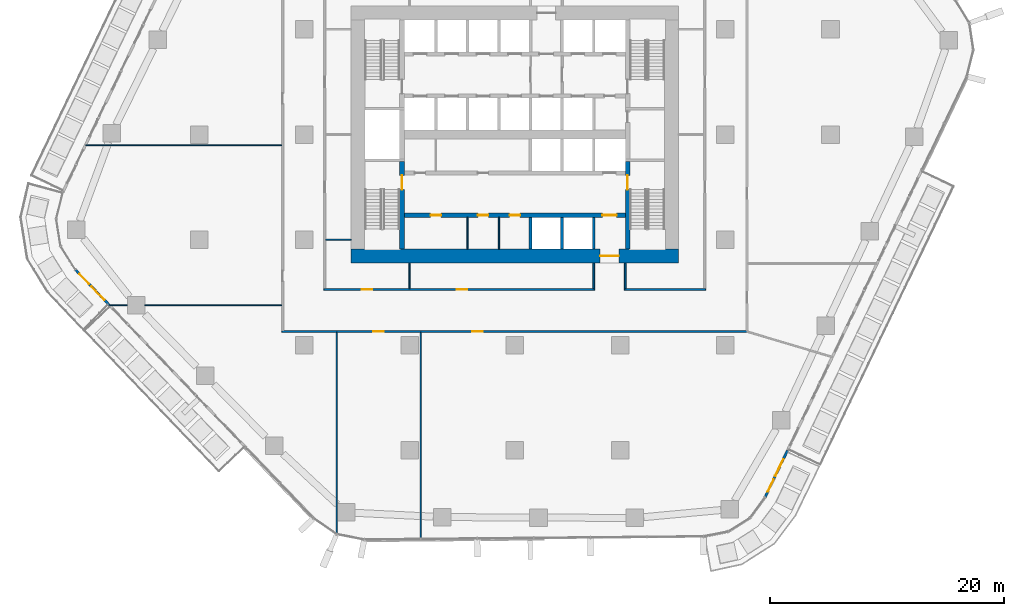
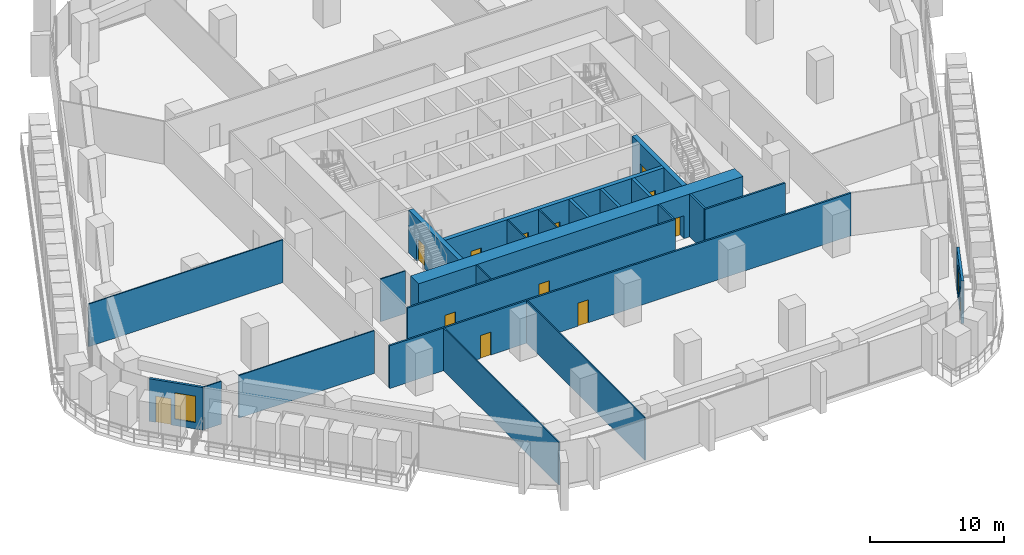
# One storey, part 12 of 23: 23 walls, 13 doors, 2 windows, 15 openings.
"""IFC4 building model written with IfcOpenShell, lengths in metres."""

from ifc_helpers import new_model, si_unit, direction, frame, frame_2d, origin, place, context, subcontext, project, spatial, rectangle, extrude, material, layer, layer_set, type_object, element, fill, save


model = new_model("IFC4")

# Units and contexts
model_context = context("Model", 3, precision=1e-05, world=origin(), true_north=direction((0.0, 1.0)))
body_context = subcontext(model_context, "Body", "Model", "MODEL_VIEW")
ifc_project = project(units=[si_unit("LENGTHUNIT", "METRE"), si_unit("AREAUNIT", "SQUARE_METRE"), si_unit("VOLUMEUNIT", "CUBIC_METRE"), si_unit("PLANEANGLEUNIT", "RADIAN"), si_unit("MASSUNIT", "GRAM", prefix="KILO")], contexts=[model_context])

# Site, building, storey
site_placement = place(None, origin())
site = spatial("IfcSite", under=ifc_project, at=site_placement, CompositionType="ELEMENT")
building_placement = place(site_placement, origin())
building = spatial("IfcBuilding", under=site, at=building_placement, Name="Dongbaek Canopy Tower", CompositionType="ELEMENT")
storey_placement = place(building_placement, frame((0.0, 0.0, 84.699951171875)))
storey = spatial("IfcBuildingStorey", under=building, at=storey_placement, Name="L17", CompositionType="ELEMENT", Elevation=84.699951171875)

# Wall, openings, doors
ifc_material_1 = material(Name="Concrete C60/75", Category="concrete")
ifc_layer_1 = layer(ifc_material_1, 0.35009765625)
ifc_layer_set_1 = layer_set([ifc_layer_1], Name="Core lobby wall 350 Concrete C60/75")
wall_type_1 = type_object("IfcWallType", Name="Core lobby wall 350 Concrete C60/75", PredefinedType="SHEAR", material=ifc_layer_set_1)
wall_1_placement = place(storey_placement, frame((9.449951171875, -6.89990234375, 0.0), z_axis=(0.0, 0.0, 1.0), x_axis=(-1.0, 0.0, 0.0)))
wall_1 = element("IfcWall", 1, at=wall_1_placement, inside=storey, type_object=wall_type_1, Name="Core wall", PredefinedType="SHEAR", context=body_context, shape_type="SweptSolid", body=[
    extrude(rectangle(XDim=18.89990234375, YDim=0.35009765625, at=frame_2d((9.449951171875, 0.0))), origin(), (0.0, 0.0, 1.0), 3.900146484375),
])
opening_1_placement = place(wall_1_placement, frame((0.75, 0.0, 0.0)))
opening_1 = element("IfcOpeningElement", 2, at=opening_1_placement, cuts=wall_1, Name="Opening L17-D036", PredefinedType="OPENING", context=body_context, shape_type="SweptSolid", body=[
    extrude(rectangle(XDim=1.199951171875, YDim=2.10009765625, at=frame_2d((0.60009765625, 1.050048828125))), frame((0.0, 0.18505859375, 0.0), z_axis=(0.0, -1.0, 0.0), x_axis=(1.0, 0.0, 0.0)), (0.0, 0.0, 1.0), 0.3701171875),
])
opening_2_placement = place(wall_1_placement, frame((15.75, 0.0, 0.0)))
opening_2 = element("IfcOpeningElement", 3, at=opening_2_placement, cuts=wall_1, Name="Opening L17-D039", PredefinedType="OPENING", context=body_context, shape_type="SweptSolid", body=[
    extrude(rectangle(XDim=0.89990234375, YDim=2.10009765625, at=frame_2d((0.449951171875, 1.050048828125))), frame((0.0, 0.18505859375, 0.0), z_axis=(0.0, -1.0, 0.0), x_axis=(1.0, 0.0, 0.0)), (0.0, 0.0, 1.0), 0.3701171875),
])
opening_3_placement = place(wall_1_placement, frame((11.699951171875, 0.0, 0.0)))
opening_3 = element("IfcOpeningElement", 4, at=opening_3_placement, cuts=wall_1, Name="Opening L17-D040", PredefinedType="OPENING", context=body_context, shape_type="SweptSolid", body=[
    extrude(rectangle(XDim=0.89990234375, YDim=2.10009765625, at=frame_2d((0.449951171875, 1.050048828125))), frame((0.0, 0.18505859375, 0.0), z_axis=(0.0, -1.0, 0.0), x_axis=(1.0, 0.0, 0.0)), (0.0, 0.0, 1.0), 0.3701171875),
])
opening_4_placement = place(wall_1_placement, frame((9.0, 0.0, 0.0)))
opening_4 = element("IfcOpeningElement", 5, at=opening_4_placement, cuts=wall_1, Name="Opening L17-D041", PredefinedType="OPENING", context=body_context, shape_type="SweptSolid", body=[
    extrude(rectangle(XDim=0.89990234375, YDim=2.10009765625, at=frame_2d((0.449951171875, 1.050048828125))), frame((0.0, 0.18505859375, 0.0), z_axis=(0.0, -1.0, 0.0), x_axis=(1.0, 0.0, 0.0)), (0.0, 0.0, 1.0), 0.3701171875),
])
ifc_material_2 = material(Name="Steel", Category="steel")
door_type_1 = type_object("IfcDoorType", Name="Core room door 900 x 2100", OperationType="SINGLE_SWING_LEFT", PredefinedType="DOOR", material=ifc_material_2)
door_1_placement = place(opening_2_placement, origin())
door_1 = element("IfcDoor", 6, at=door_1_placement, inside=storey, type_object=door_type_1, Name="Door L17-D039", OperationType="SINGLE_SWING_RIGHT", OverallHeight=2.10009765625, OverallWidth=0.89990234375, PredefinedType="DOOR", context=body_context, shape_type="SweptSolid", body=[
    extrude(rectangle(XDim=0.89990234375, YDim=2.10009765625, at=frame_2d((0.449951171875, 1.050048828125))), frame((0.0, 0.02490234375, 0.0), z_axis=(0.0, -1.0, 0.0), x_axis=(1.0, 0.0, 0.0)), (0.0, 0.0, 1.0), 0.050048828125),
])
fill(opening_2, door_1)
door_2_placement = place(opening_3_placement, origin())
door_2 = element("IfcDoor", 7, at=door_2_placement, inside=storey, type_object=door_type_1, Name="Door L17-D040", OperationType="SINGLE_SWING_LEFT", OverallHeight=2.10009765625, OverallWidth=0.89990234375, PredefinedType="DOOR", context=body_context, shape_type="SweptSolid", body=[
    extrude(rectangle(XDim=0.89990234375, YDim=2.10009765625, at=frame_2d((0.449951171875, 1.050048828125))), frame((0.0, 0.02490234375, 0.0), z_axis=(0.0, -1.0, 0.0), x_axis=(1.0, 0.0, 0.0)), (0.0, 0.0, 1.0), 0.050048828125),
])
fill(opening_3, door_2)
door_3_placement = place(opening_4_placement, origin())
door_3 = element("IfcDoor", 8, at=door_3_placement, inside=storey, type_object=door_type_1, Name="Door L17-D041", OperationType="SINGLE_SWING_RIGHT", OverallHeight=2.10009765625, OverallWidth=0.89990234375, PredefinedType="DOOR", context=body_context, shape_type="SweptSolid", body=[
    extrude(rectangle(XDim=0.89990234375, YDim=2.10009765625, at=frame_2d((0.449951171875, 1.050048828125))), frame((0.0, 0.02490234375, 0.0), z_axis=(0.0, -1.0, 0.0), x_axis=(1.0, 0.0, 0.0)), (0.0, 0.0, 1.0), 0.050048828125),
])
fill(opening_4, door_3)
ifc_material_3 = material(Name="Steel", Category="steel")
door_type_2 = type_object("IfcDoorType", Name="Fire lobby door 1200 x 2100", OperationType="SINGLE_SWING_LEFT", PredefinedType="DOOR", material=ifc_material_3)
door_4_placement = place(opening_1_placement, origin())
door_4 = element("IfcDoor", 9, at=door_4_placement, inside=storey, type_object=door_type_2, Name="Door L17-D036", OperationType="SINGLE_SWING_LEFT", OverallHeight=2.10009765625, OverallWidth=1.199951171875, PredefinedType="DOOR", context=body_context, shape_type="SweptSolid", body=[
    extrude(rectangle(XDim=1.199951171875, YDim=2.10009765625, at=frame_2d((0.60009765625, 1.050048828125))), frame((0.0, 0.02490234375, 0.0), z_axis=(0.0, -1.0, 0.0), x_axis=(1.0, 0.0, 0.0)), (0.0, 0.0, 1.0), 0.050048828125),
])
fill(opening_1, door_4)

# Wall, opening, door
ifc_material_4 = material(Name="Concrete C60/75", Category="concrete")
ifc_layer_2 = layer(ifc_material_4, 1.199951171875)
ifc_layer_set_2 = layer_set([ifc_layer_2], Name="Core outer wall 1200 Concrete C60/75")
wall_type_2 = type_object("IfcWallType", Name="Core outer wall 1200 Concrete C60/75", PredefinedType="SHEAR", material=ifc_layer_set_2)
wall_2_placement = place(storey_placement, frame((14.0, -10.39990234375, 0.0), z_axis=(0.0, 0.0, 1.0), x_axis=(-1.0, 0.0, 0.0)))
wall_2 = element("IfcWall", 10, at=wall_2_placement, inside=storey, type_object=wall_type_2, Name="Core wall", PredefinedType="SHEAR", context=body_context, shape_type="SweptSolid", body=[
    extrude(rectangle(XDim=28.0, YDim=1.199951171875, at=frame_2d((14.0, 0.0))), origin(), (0.0, 0.0, 1.0), 3.900146484375),
])
opening_5_placement = place(wall_2_placement, frame((5.10009765625, 0.0, 0.0)))
opening_5 = element("IfcOpeningElement", 11, at=opening_5_placement, cuts=wall_2, Name="Opening L17-D035", PredefinedType="OPENING", context=body_context, shape_type="SweptSolid", body=[
    extrude(rectangle(XDim=1.60009765625, YDim=2.10009765625, at=frame_2d((0.800048828125, 1.050048828125))), frame((0.0, 0.60986328125, 0.0), z_axis=(0.0, -1.0, 0.0), x_axis=(1.0, 0.0, 0.0)), (0.0, 0.0, 1.0), 1.219970703125),
])
ifc_material_5 = material(Name="Steel", Category="steel")
door_type_3 = type_object("IfcDoorType", Name="Core exit door 1600 x 2100", OperationType="DOUBLE_DOOR_SINGLE_SWING", PredefinedType="DOOR", material=ifc_material_5)
door_5_placement = place(opening_5_placement, origin())
door_5 = element("IfcDoor", 12, at=door_5_placement, inside=storey, type_object=door_type_3, Name="Core exit door", OperationType="DOUBLE_DOOR_SINGLE_SWING", OverallHeight=2.10009765625, OverallWidth=1.60009765625, PredefinedType="DOOR", context=body_context, shape_type="SweptSolid", body=[
    extrude(rectangle(XDim=1.60009765625, YDim=2.10009765625, at=frame_2d((0.800048828125, 1.050048828125))), frame((0.0, 0.02490234375, 0.0), z_axis=(0.0, -1.0, 0.0), x_axis=(1.0, 0.0, 0.0)), (0.0, 0.0, 1.0), 0.050048828125),
])
fill(opening_5, door_5)

# Wall, openings, doors
ifc_material_6 = material(Name="Gypsum board partition, steel stud, 2 x 15 mm fire board", Category="steel")
ifc_layer_3 = layer(ifc_material_6, 0.14990234375)
ifc_layer_set_3 = layer_set([ifc_layer_3], Name="Fire-rated partition 150 gypsum board")
wall_type_3 = type_object("IfcWallType", Name="Fire-rated partition 150 gypsum board", PredefinedType="PARTITIONING", material=ifc_layer_set_3)
wall_3_placement = place(storey_placement, frame((19.925048828125, -16.85009765625, 0.0), z_axis=(0.0, 0.0, 1.0), x_axis=(-1.0, 0.0, 0.0)))
wall_3 = element("IfcWall", 13, at=wall_3_placement, inside=storey, type_object=wall_type_3, Name="Corridor partition", PredefinedType="PARTITIONING", context=body_context, shape_type="SweptSolid", body=[
    extrude(rectangle(XDim=39.85009765625, YDim=0.14990234375, at=frame_2d((19.925048828125, 0.0))), origin(), (0.0, 0.0, 1.0), 3.900146484375),
])
opening_6_placement = place(wall_3_placement, frame((31.1123046875, 0.0, 0.0)))
opening_6 = element("IfcOpeningElement", 14, at=opening_6_placement, cuts=wall_3, Name="Opening L17-D002", PredefinedType="OPENING", context=body_context, shape_type="SweptSolid", body=[
    extrude(rectangle(XDim=0.89990234375, YDim=2.10009765625, at=frame_2d((0.449951171875, 1.050048828125))), frame((0.0, 0.0849609375, 0.0), z_axis=(0.0, -1.0, 0.0), x_axis=(1.0, 0.0, 0.0)), (0.0, 0.0, 1.0), 0.169921875),
])
opening_7_placement = place(wall_3_placement, frame((22.684326171875, 0.0, 0.0)))
opening_7 = element("IfcOpeningElement", 15, at=opening_7_placement, cuts=wall_3, Name="Opening L17-D003", PredefinedType="OPENING", context=body_context, shape_type="SweptSolid", body=[
    extrude(rectangle(XDim=0.89990234375, YDim=2.10009765625, at=frame_2d((0.449951171875, 1.050048828125))), frame((0.0, 0.0849609375, 0.0), z_axis=(0.0, -1.0, 0.0), x_axis=(1.0, 0.0, 0.0)), (0.0, 0.0, 1.0), 0.169921875),
])
ifc_material_7 = material(Name="Timber veneered door leaf", Category="wood")
door_type_4 = type_object("IfcDoorType", Name="Room door 900 x 2100", OperationType="SINGLE_SWING_LEFT", PredefinedType="DOOR", material=ifc_material_7)
door_6_placement = place(opening_6_placement, origin())
door_6 = element("IfcDoor", 16, at=door_6_placement, inside=storey, type_object=door_type_4, Name="Door L17-D002", OperationType="SINGLE_SWING_RIGHT", OverallHeight=2.10009765625, OverallWidth=0.89990234375, PredefinedType="DOOR", context=body_context, shape_type="SweptSolid", body=[
    extrude(rectangle(XDim=0.89990234375, YDim=2.10009765625, at=frame_2d((0.449951171875, 1.050048828125))), frame((0.0, 0.02490234375, 0.0), z_axis=(0.0, -1.0, 0.0), x_axis=(1.0, 0.0, 0.0)), (0.0, 0.0, 1.0), 0.050048828125),
])
fill(opening_6, door_6)
door_7_placement = place(opening_7_placement, origin())
door_7 = element("IfcDoor", 17, at=door_7_placement, inside=storey, type_object=door_type_4, Name="Door L17-D003", OperationType="SINGLE_SWING_LEFT", OverallHeight=2.10009765625, OverallWidth=0.89990234375, PredefinedType="DOOR", context=body_context, shape_type="SweptSolid", body=[
    extrude(rectangle(XDim=0.89990234375, YDim=2.10009765625, at=frame_2d((0.449951171875, 1.050048828125))), frame((0.0, 0.02490234375, 0.0), z_axis=(0.0, -1.0, 0.0), x_axis=(1.0, 0.0, 0.0)), (0.0, 0.0, 1.0), 0.050048828125),
])
fill(opening_7, door_7)

wall_4_placement = place(storey_placement, frame((-16.324951171875, -13.25, 0.0), z_axis=(0.0, 0.0, 1.0), x_axis=(1.0, 0.0, 0.0)))
wall_4 = element("IfcWall", 18, at=wall_4_placement, inside=storey, type_object=wall_type_3, Name="Corridor partition", PredefinedType="PARTITIONING", context=body_context, shape_type="SweptSolid", body=[
    extrude(rectangle(XDim=23.14990234375, YDim=0.14990234375, at=frame_2d((11.574951171875, 0.0))), origin(), (0.0, 0.0, 1.0), 3.900146484375),
])
opening_8_placement = place(wall_4_placement, frame((3.25, 0.0, 0.0)))
opening_8 = element("IfcOpeningElement", 19, at=opening_8_placement, cuts=wall_4, Name="Opening L17-D010", PredefinedType="OPENING", context=body_context, shape_type="SweptSolid", body=[
    extrude(rectangle(XDim=0.89990234375, YDim=2.10009765625, at=frame_2d((0.449951171875, 1.050048828125))), frame((0.0, 0.0849609375, 0.0), z_axis=(0.0, -1.0, 0.0), x_axis=(1.0, 0.0, 0.0)), (0.0, 0.0, 1.0), 0.169921875),
])
opening_9_placement = place(wall_4_placement, frame((11.375, 0.0, 0.0)))
opening_9 = element("IfcOpeningElement", 20, at=opening_9_placement, cuts=wall_4, Name="Opening L17-D011", PredefinedType="OPENING", context=body_context, shape_type="SweptSolid", body=[
    extrude(rectangle(XDim=0.89990234375, YDim=2.10009765625, at=frame_2d((0.449951171875, 1.050048828125))), frame((0.0, 0.0849609375, 0.0), z_axis=(0.0, -1.0, 0.0), x_axis=(1.0, 0.0, 0.0)), (0.0, 0.0, 1.0), 0.169921875),
])
door_8_placement = place(opening_8_placement, origin())
door_8 = element("IfcDoor", 21, at=door_8_placement, inside=storey, type_object=door_type_4, Name="Door L17-D010", OperationType="SINGLE_SWING_RIGHT", OverallHeight=2.10009765625, OverallWidth=0.89990234375, PredefinedType="DOOR", context=body_context, shape_type="SweptSolid", body=[
    extrude(rectangle(XDim=0.89990234375, YDim=2.10009765625, at=frame_2d((0.449951171875, 1.050048828125))), frame((0.0, 0.02490234375, 0.0), z_axis=(0.0, -1.0, 0.0), x_axis=(1.0, 0.0, 0.0)), (0.0, 0.0, 1.0), 0.050048828125),
])
fill(opening_8, door_8)
door_9_placement = place(opening_9_placement, origin())
door_9 = element("IfcDoor", 22, at=door_9_placement, inside=storey, type_object=door_type_4, Name="Door L17-D011", OperationType="SINGLE_SWING_LEFT", OverallHeight=2.10009765625, OverallWidth=0.89990234375, PredefinedType="DOOR", context=body_context, shape_type="SweptSolid", body=[
    extrude(rectangle(XDim=0.89990234375, YDim=2.10009765625, at=frame_2d((0.449951171875, 1.050048828125))), frame((0.0, 0.02490234375, 0.0), z_axis=(0.0, -1.0, 0.0), x_axis=(1.0, 0.0, 0.0)), (0.0, 0.0, 1.0), 0.050048828125),
])
fill(opening_9, door_9)

# Walls
wall_5_placement = place(storey_placement, frame((9.375, -13.25, 0.0), z_axis=(0.0, 0.0, 1.0), x_axis=(1.0, 0.0, 0.0)))
element("IfcWall", 23, at=wall_5_placement, inside=storey, type_object=wall_type_3, Name="Corridor partition", PredefinedType="PARTITIONING", context=body_context, shape_type="SweptSolid", body=[
    extrude(rectangle(XDim=6.949951171875, YDim=0.14990234375, at=frame_2d((3.47509765625, 0.0))), origin(), (0.0, 0.0, 1.0), 3.900146484375),
])
for number, where, z_axis, x_axis, name in (
    (24, (9.449951171875, -13.175048828125, 0.0), (0.0, 0.0, 1.0), (0.0, 1.0, 0.0), "Corridor partition"),
    (25, (6.75, -13.175048828125, 0.0), (0.0, 0.0, 1.0), (0.0, 1.0, 0.0), "Corridor partition"),
):
    element("IfcWall", number, at=place(storey_placement, frame(where, z_axis=z_axis, x_axis=x_axis)), inside=storey, type_object=wall_type_3, Name=name, PredefinedType="PARTITIONING", context=body_context, shape_type="SweptSolid", body=[
        extrude(rectangle(XDim=2.175048828125, YDim=0.14990234375, at=frame_2d((1.08740234375, 0.0))), origin(), (0.0, 0.0, 1.0), 3.900146484375),
    ])
ifc_material_8 = material(Name="Concrete C40/50", Category="concrete")
ifc_layer_4 = layer(ifc_material_8, 0.25)
ifc_layer_set_4 = layer_set([ifc_layer_4], Name="Lift shaft wall 250 Concrete C40/50")
wall_type_4 = type_object("IfcWallType", Name="Lift shaft wall 250 Concrete C40/50", PredefinedType="SOLIDWALL", material=ifc_layer_set_4)
for number, where, z_axis, x_axis, name in (
    (26, (6.75, -9.800048828125, 0.0), (0.0, 0.0, 1.0), (0.0, 1.0, 0.0), "Lift shaft wall"),
    (27, (4.050048828125, -9.800048828125, 0.0), (0.0, 0.0, 1.0), (0.0, 1.0, 0.0), "Lift shaft wall"),
    (28, (1.35009765625, -9.800048828125, 0.0), (0.0, 0.0, 1.0), (0.0, 1.0, 0.0), "Lift shaft wall"),
):
    element("IfcWall", number, at=place(storey_placement, frame(where, z_axis=z_axis, x_axis=x_axis)), inside=storey, type_object=wall_type_4, Name=name, PredefinedType="SOLIDWALL", context=body_context, shape_type="SweptSolid", body=[
        extrude(rectangle(XDim=2.72509765625, YDim=0.25, at=frame_2d((1.362548828125, 0.0))), origin(), (0.0, 0.0, 1.0), 3.900146484375),
    ])
ifc_material_9 = material(Name="Gypsum board partition, steel stud, 2 x 12.5 mm board", Category="steel")
ifc_layer_5 = layer(ifc_material_9, 0.10009765625)
ifc_layer_set_5 = layer_set([ifc_layer_5], Name="Partition 100 gypsum board")
wall_type_5 = type_object("IfcWallType", Name="Partition 100 gypsum board", PredefinedType="PARTITIONING", material=ifc_layer_set_5)
wall_6_placement = place(storey_placement, frame((-34.644287109375, -14.5869140625, 0.0), z_axis=(0.0, 0.0, 1.0), x_axis=(1.0, 0.0, 0.0)))
element("IfcWall", 29, at=wall_6_placement, inside=storey, type_object=wall_type_5, Name="Partition", PredefinedType="PARTITIONING", context=body_context, shape_type="SweptSolid", body=[
    extrude(rectangle(XDim=1.51220703125, YDim=0.10009765625, at=frame_2d((0.756103515625, 0.0))), origin(), (0.0, 0.0, 1.0), 3.900146484375),
])
wall_7_placement = place(storey_placement, frame((-31.632080078125, -14.5869140625, 0.0), z_axis=(0.0, 0.0, 1.0), x_axis=(1.0, 0.0, 0.0)))
element("IfcWall", 30, at=wall_7_placement, inside=storey, type_object=wall_type_5, Name="Partition", PredefinedType="PARTITIONING", context=body_context, shape_type="SweptSolid", body=[
    extrude(rectangle(XDim=11.70703125, YDim=0.10009765625, at=frame_2d((5.853515625, 0.0))), origin(), (0.0, 0.0, 1.0), 3.900146484375),
])
wall_8_placement = place(storey_placement, frame((-16.175048828125, -9.0, 0.0), z_axis=(0.0, 0.0, 1.0), x_axis=(1.0, 0.0, 0.0)))
element("IfcWall", 31, at=wall_8_placement, inside=storey, type_object=wall_type_5, Name="Partition", PredefinedType="PARTITIONING", context=body_context, shape_type="SweptSolid", body=[
    extrude(rectangle(XDim=2.175048828125, YDim=0.10009765625, at=frame_2d((1.08740234375, 0.0))), origin(), (0.0, 0.0, 1.0), 3.900146484375),
])
wall_9_placement = place(storey_placement, frame((-36.697509765625, -0.906982421875, 0.0), z_axis=(0.0, 0.0, 1.0), x_axis=(1.0, 0.0, 0.0)))
element("IfcWall", 32, at=wall_9_placement, inside=storey, type_object=wall_type_5, Name="Partition", PredefinedType="PARTITIONING", context=body_context, shape_type="SweptSolid", body=[
    extrude(rectangle(XDim=16.7724609375, YDim=0.10009765625, at=frame_2d((8.38623046875, 0.0))), origin(), (0.0, 0.0, 1.0), 3.900146484375),
])
wall_10_placement = place(storey_placement, frame((-8.047119140625, -34.570068359375, 0.0), z_axis=(0.0, 0.0, 1.0), x_axis=(0.0, 1.0, 0.0)))
element("IfcWall", 33, at=wall_10_placement, inside=storey, type_object=wall_type_5, Name="Partition", PredefinedType="PARTITIONING", context=body_context, shape_type="SweptSolid", body=[
    extrude(rectangle(XDim=17.64501953125, YDim=0.10009765625, at=frame_2d((8.822509765625, 0.0))), origin(), (0.0, 0.0, 1.0), 3.900146484375),
])
wall_11_placement = place(storey_placement, frame((-9.0, -13.175048828125, 0.0), z_axis=(0.0, 0.0, 1.0), x_axis=(0.0, 1.0, 0.0)))
element("IfcWall", 34, at=wall_11_placement, inside=storey, type_object=wall_type_5, Name="Partition", PredefinedType="PARTITIONING", context=body_context, shape_type="SweptSolid", body=[
    extrude(rectangle(XDim=2.175048828125, YDim=0.10009765625, at=frame_2d((1.08740234375, 0.0))), origin(), (0.0, 0.0, 1.0), 3.900146484375),
])
wall_12_placement = place(storey_placement, frame((-15.22802734375, -34.14599609375, 0.0), z_axis=(0.0, 0.0, 1.0), x_axis=(0.0, 1.0, 0.0)))
element("IfcWall", 35, at=wall_12_placement, inside=storey, type_object=wall_type_5, Name="Partition", PredefinedType="PARTITIONING", context=body_context, shape_type="SweptSolid", body=[
    extrude(rectangle(XDim=17.220947265625, YDim=0.10009765625, at=frame_2d((8.6103515625, 0.0))), origin(), (0.0, 0.0, 1.0), 3.900146484375),
])
for number, where, z_axis, x_axis, name in (
    (36, (-1.35009765625, -9.800048828125, 0.0), (0.0, 0.0, 1.0), (0.0, 1.0, 0.0), "Core partition"),
    (37, (-4.050048828125, -9.800048828125, 0.0), (0.0, 0.0, 1.0), (0.0, 1.0, 0.0), "Core partition"),
):
    element("IfcWall", number, at=place(storey_placement, frame(where, z_axis=z_axis, x_axis=x_axis)), inside=storey, type_object=wall_type_5, Name=name, PredefinedType="PARTITIONING", context=body_context, shape_type="SweptSolid", body=[
        extrude(rectangle(XDim=2.72509765625, YDim=0.10009765625, at=frame_2d((1.362548828125, 0.0))), origin(), (0.0, 0.0, 1.0), 3.900146484375),
    ])

# Wall, opening, door
ifc_material_10 = material(Name="Concrete C60/75", Category="concrete")
ifc_layer_6 = layer(ifc_material_10, 0.39990234375)
ifc_layer_set_6 = layer_set([ifc_layer_6], Name="Stair wall 400 Concrete C60/75")
wall_type_6 = type_object("IfcWallType", Name="Stair wall 400 Concrete C60/75", PredefinedType="SHEAR", material=ifc_layer_set_6)
wall_13_placement = place(storey_placement, frame((9.64990234375, -2.300048828125, 0.0), z_axis=(0.0, 0.0, 1.0), x_axis=(0.0, -1.0, 0.0)))
wall_13 = element("IfcWall", 38, at=wall_13_placement, inside=storey, type_object=wall_type_6, Name="Stair wall", PredefinedType="SHEAR", context=body_context, shape_type="SweptSolid", body=[
    extrude(rectangle(XDim=7.5, YDim=0.39990234375, at=frame_2d((3.75, 0.0))), origin(), (0.0, 0.0, 1.0), 3.900146484375),
])
opening_10_placement = place(wall_13_placement, frame((1.199951171875, 0.0, 0.0)))
opening_10 = element("IfcOpeningElement", 39, at=opening_10_placement, cuts=wall_13, Name="Opening L17-D044", PredefinedType="OPENING", context=body_context, shape_type="SweptSolid", body=[
    extrude(rectangle(XDim=1.199951171875, YDim=2.10009765625, at=frame_2d((0.60009765625, 1.050048828125))), frame((0.0, 0.2099609375, 0.0), z_axis=(0.0, -1.0, 0.0), x_axis=(1.0, 0.0, 0.0)), (0.0, 0.0, 1.0), 0.419921875),
])
ifc_material_11 = material(Name="Steel", Category="steel")
door_type_5 = type_object("IfcDoorType", Name="Stair door 1200 x 2100", OperationType="SINGLE_SWING_LEFT", PredefinedType="DOOR", material=ifc_material_11)
door_10_placement = place(opening_10_placement, origin())
door_10 = element("IfcDoor", 40, at=door_10_placement, inside=storey, type_object=door_type_5, Name="Stair B door", OperationType="SINGLE_SWING_RIGHT", OverallHeight=2.10009765625, OverallWidth=1.199951171875, PredefinedType="DOOR", context=body_context, shape_type="SweptSolid", body=[
    extrude(rectangle(XDim=1.199951171875, YDim=2.10009765625, at=frame_2d((0.60009765625, 1.050048828125))), frame((0.0, 0.02490234375, 0.0), z_axis=(0.0, -1.0, 0.0), x_axis=(1.0, 0.0, 0.0)), (0.0, 0.0, 1.0), 0.050048828125),
])
fill(opening_10, door_10)

wall_14_placement = place(storey_placement, frame((-9.64990234375, -9.800048828125, 0.0), z_axis=(0.0, 0.0, 1.0), x_axis=(0.0, 1.0, 0.0)))
wall_14 = element("IfcWall", 41, at=wall_14_placement, inside=storey, type_object=wall_type_6, Name="Stair wall", PredefinedType="SHEAR", context=body_context, shape_type="SweptSolid", body=[
    extrude(rectangle(XDim=7.5, YDim=0.39990234375, at=frame_2d((3.75, 0.0))), origin(), (0.0, 0.0, 1.0), 3.900146484375),
])
opening_11_placement = place(wall_14_placement, frame((5.10009765625, 0.0, 0.0)))
opening_11 = element("IfcOpeningElement", 42, at=opening_11_placement, cuts=wall_14, Name="Opening L17-D045", PredefinedType="OPENING", context=body_context, shape_type="SweptSolid", body=[
    extrude(rectangle(XDim=1.199951171875, YDim=2.10009765625, at=frame_2d((0.60009765625, 1.050048828125))), frame((0.0, 0.2099609375, 0.0), z_axis=(0.0, -1.0, 0.0), x_axis=(1.0, 0.0, 0.0)), (0.0, 0.0, 1.0), 0.419921875),
])
door_11_placement = place(opening_11_placement, origin())
door_11 = element("IfcDoor", 43, at=door_11_placement, inside=storey, type_object=door_type_5, Name="Stair D door", OperationType="SINGLE_SWING_LEFT", OverallHeight=2.10009765625, OverallWidth=1.199951171875, PredefinedType="DOOR", context=body_context, shape_type="SweptSolid", body=[
    extrude(rectangle(XDim=1.199951171875, YDim=2.10009765625, at=frame_2d((0.60009765625, 1.050048828125))), frame((0.0, 0.02490234375, 0.0), z_axis=(0.0, -1.0, 0.0), x_axis=(1.0, 0.0, 0.0)), (0.0, 0.0, 1.0), 0.050048828125),
])
fill(opening_11, door_11)

# Wall, openings, door, window
ifc_material_12 = material(Name="Aluminium window wall", Category="aluminium")
ifc_layer_7 = layer(ifc_material_12, 0.199951171875)
ifc_layer_set_7 = layer_set([ifc_layer_7], Name="Window wall 200")
wall_type_7 = type_object("IfcWallType", Name="Window wall 200", PredefinedType="SOLIDWALL", material=ifc_layer_set_7)
wall_15_placement = place(storey_placement, frame((-37.57763671875, -11.55615234375, 0.0), z_axis=(0.0, 0.0, 1.0), x_axis=(0.692005127075, -0.721892584878, 0.0)))
wall_15 = element("IfcWall", 44, at=wall_15_placement, inside=storey, type_object=wall_type_7, Name="Window wall L17 6", PredefinedType="SOLIDWALL", context=body_context, shape_type="SweptSolid", body=[
    extrude(rectangle(XDim=4.19873046875, YDim=0.199951171875, at=frame_2d((2.099365234375, 0.0))), origin(), (0.0, 0.0, 1.0), 3.900146484375),
])
opening_12_placement = place(wall_15_placement, frame((2.0, 0.0, 0.60009765625)))
opening_12 = element("IfcOpeningElement", 45, at=opening_12_placement, cuts=wall_15, Name="Opening W1", PredefinedType="OPENING", context=body_context, shape_type="SweptSolid", body=[
    extrude(rectangle(XDim=1.60009765625, YDim=2.39990234375, at=frame_2d((0.800048828125, 1.199951171875))), frame((0.0, 0.10986328125, 0.0), z_axis=(0.0, -1.0, 0.0), x_axis=(1.0, 0.0, 0.0)), (0.0, 0.0, 1.0), 0.219970703125),
])
opening_13_placement = place(wall_15_placement, frame((0.5, 0.0, 0.0)))
opening_13 = element("IfcOpeningElement", 46, at=opening_13_placement, cuts=wall_15, Name="Opening L17-B16", PredefinedType="OPENING", context=body_context, shape_type="SweptSolid", body=[
    extrude(rectangle(XDim=1.199951171875, YDim=2.39990234375, at=frame_2d((0.60009765625, 1.199951171875))), frame((0.0, 0.10986328125, 0.0), z_axis=(0.0, -1.0, 0.0), x_axis=(1.0, 0.0, 0.0)), (0.0, 0.0, 1.0), 0.219970703125),
])
ifc_material_13 = material(Name="Clear glazing in aluminium frame", Category="aluminium")
door_type_6 = type_object("IfcDoorType", Name="Balcony door BD1 1200 x 2400", OperationType="SLIDING_TO_LEFT", PredefinedType="DOOR", material=ifc_material_13)
door_12_placement = place(opening_13_placement, origin())
door_12 = element("IfcDoor", 47, at=door_12_placement, inside=storey, type_object=door_type_6, Name="Balcony door L17-B16", OperationType="SLIDING_TO_LEFT", OverallHeight=2.39990234375, OverallWidth=1.199951171875, PredefinedType="DOOR", context=body_context, shape_type="SweptSolid", body=[
    extrude(rectangle(XDim=1.199951171875, YDim=2.39990234375, at=frame_2d((0.60009765625, 1.199951171875))), frame((0.0, 0.02490234375, 0.0), z_axis=(0.0, -1.0, 0.0), x_axis=(1.0, 0.0, 0.0)), (0.0, 0.0, 1.0), 0.050048828125),
])
fill(opening_13, door_12)
ifc_material_14 = material(Name="Clear glazing in aluminium frame", Category="aluminium")
window_type = type_object("IfcWindowType", Name="Window W1 1600 x 2400", PartitioningType="SINGLE_PANEL", PredefinedType="WINDOW", material=ifc_material_14)
window_1_placement = place(opening_12_placement, origin())
window_1 = element("IfcWindow", 48, at=window_1_placement, inside=storey, type_object=window_type, Name="Window L17 6.1", OverallHeight=2.39990234375, OverallWidth=1.60009765625, PartitioningType="SINGLE_PANEL", PredefinedType="WINDOW", context=body_context, shape_type="SweptSolid", body=[
    extrude(rectangle(XDim=1.60009765625, YDim=2.39990234375, at=frame_2d((0.800048828125, 1.199951171875))), frame((0.0, 0.030029296875, 0.0), z_axis=(0.0, -1.0, 0.0), x_axis=(1.0, 0.0, 0.0)), (0.0, 0.0, 1.0), 0.06005859375),
])
fill(opening_12, window_1)

wall_16_placement = place(storey_placement, frame((21.409912109375, -31.0087890625, 0.0), z_axis=(0.0, 0.0, 1.0), x_axis=(0.432074367005, 0.90183797956, 0.0)))
wall_16 = element("IfcWall", 49, at=wall_16_placement, inside=storey, type_object=wall_type_7, Name="Window wall L17 7", PredefinedType="SOLIDWALL", context=body_context, shape_type="SweptSolid", body=[
    extrude(rectangle(XDim=4.42431640625, YDim=0.199951171875, at=frame_2d((2.212158203125, 0.0))), origin(), (0.0, 0.0, 1.0), 3.900146484375),
])
opening_14_placement = place(wall_16_placement, frame((2.0, 0.0, 0.60009765625)))
opening_14 = element("IfcOpeningElement", 50, at=opening_14_placement, cuts=wall_16, Name="Opening W1", PredefinedType="OPENING", context=body_context, shape_type="SweptSolid", body=[
    extrude(rectangle(XDim=1.60009765625, YDim=2.39990234375, at=frame_2d((0.800048828125, 1.199951171875))), frame((0.0, 0.10986328125, 0.0), z_axis=(0.0, -1.0, 0.0), x_axis=(1.0, 0.0, 0.0)), (0.0, 0.0, 1.0), 0.219970703125),
])
opening_15_placement = place(wall_16_placement, frame((0.5, 0.0, 0.0)))
opening_15 = element("IfcOpeningElement", 51, at=opening_15_placement, cuts=wall_16, Name="Opening L17-B23", PredefinedType="OPENING", context=body_context, shape_type="SweptSolid", body=[
    extrude(rectangle(XDim=1.199951171875, YDim=2.39990234375, at=frame_2d((0.60009765625, 1.199951171875))), frame((0.0, 0.10986328125, 0.0), z_axis=(0.0, -1.0, 0.0), x_axis=(1.0, 0.0, 0.0)), (0.0, 0.0, 1.0), 0.219970703125),
])
door_13_placement = place(opening_15_placement, origin())
door_13 = element("IfcDoor", 52, at=door_13_placement, inside=storey, type_object=door_type_6, Name="Balcony door L17-B23", OperationType="SLIDING_TO_LEFT", OverallHeight=2.39990234375, OverallWidth=1.199951171875, PredefinedType="DOOR", context=body_context, shape_type="SweptSolid", body=[
    extrude(rectangle(XDim=1.199951171875, YDim=2.39990234375, at=frame_2d((0.60009765625, 1.199951171875))), frame((0.0, 0.02490234375, 0.0), z_axis=(0.0, -1.0, 0.0), x_axis=(1.0, 0.0, 0.0)), (0.0, 0.0, 1.0), 0.050048828125),
])
fill(opening_15, door_13)
window_2_placement = place(opening_14_placement, origin())
window_2 = element("IfcWindow", 53, at=window_2_placement, inside=storey, type_object=window_type, Name="Window L17 7.1", OverallHeight=2.39990234375, OverallWidth=1.60009765625, PartitioningType="SINGLE_PANEL", PredefinedType="WINDOW", context=body_context, shape_type="SweptSolid", body=[
    extrude(rectangle(XDim=1.60009765625, YDim=2.39990234375, at=frame_2d((0.800048828125, 1.199951171875))), frame((0.0, 0.030029296875, 0.0), z_axis=(0.0, -1.0, 0.0), x_axis=(1.0, 0.0, 0.0)), (0.0, 0.0, 1.0), 0.06005859375),
])
fill(opening_14, window_2)

save(model, "model.ifc")
